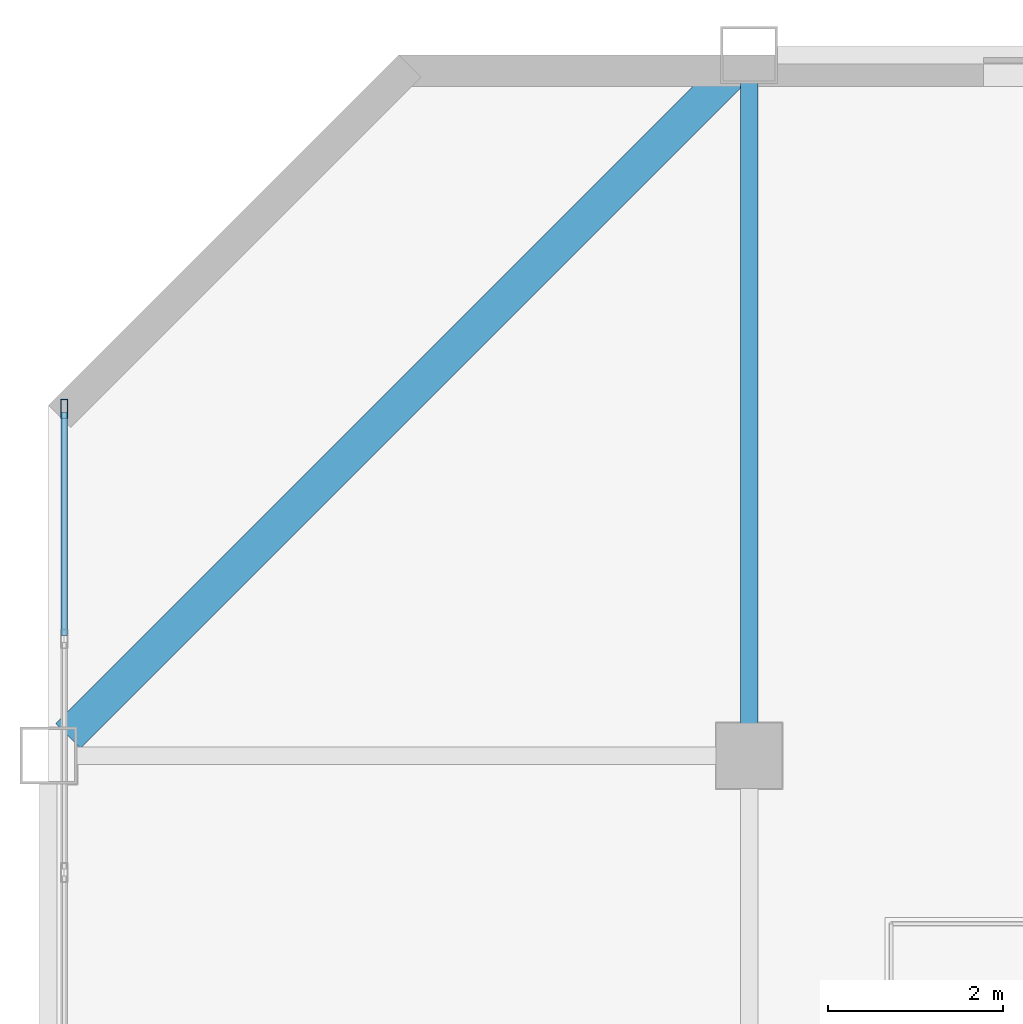
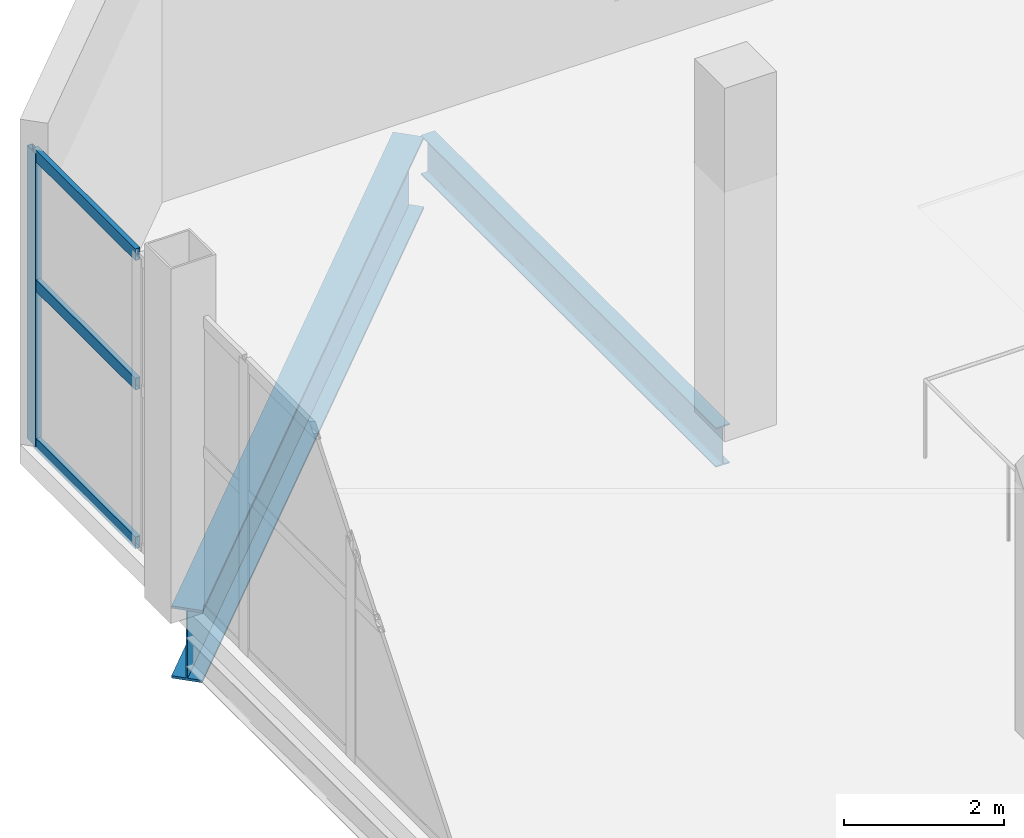
# One storey, part 6 of 16: 4 members, 2 beams, 1 element without a shape of its own.
"""IFC4 building model written with IfcOpenShell, lengths in metres."""

from ifc_helpers import new_model, si_unit, direction, frame, origin, origin_2d, place, context, subcontext, project, spatial, hollow_rectangle, i_section, extrude, material, layer, layer_set, material_profile, profile_set, type_object, element, aggregate, save


model = new_model("IFC4")

# Units and contexts
model_context = context("Model", 3, precision=1e-05, world=origin(), true_north=direction((0.0, 1.0)))
body_context = subcontext(model_context, "Body", "Model", "MODEL_VIEW")
ifc_project = project(units=[si_unit("LENGTHUNIT", "METRE"), si_unit("AREAUNIT", "SQUARE_METRE"), si_unit("VOLUMEUNIT", "CUBIC_METRE"), si_unit("PLANEANGLEUNIT", "RADIAN"), si_unit("MASSUNIT", "GRAM", prefix="KILO")], contexts=[model_context])

# Site, building, storey
site_placement = place(None, origin())
site = spatial("IfcSite", under=ifc_project, at=site_placement, CompositionType="ELEMENT")
building_placement = place(site_placement, origin())
building = spatial("IfcBuilding", under=site, at=building_placement, Name="Qianrong Seaharbour Tower", CompositionType="ELEMENT")
storey_placement = place(building_placement, frame((0.0, 0.0, 378.39990234375)))
storey = spatial("IfcBuildingStorey", under=building, at=storey_placement, Name="L91", CompositionType="ELEMENT", Elevation=378.39990234375)

# Beams
ifc_material_1 = material(Name="Structural steel SN490B", Category="steel")
ifc_material_profile_1 = material_profile(ifc_material_1, i_section(OverallWidth=0.199951171875, OverallDepth=0.60009765625, WebThickness=0.010986328125, FlangeThickness=0.01708984375, FilletRadius=0.02197265625, at=origin_2d()), Name="H600x200x11x17")
ifc_profile_set_1 = profile_set([ifc_material_profile_1], Name="Structural steel SN490B")
beam_type_1 = type_object("IfcBeamType", Name="BM-G-600", PredefinedType="BEAM", material=ifc_profile_set_1)
beam_1_placement = place(storey_placement, frame((24.5, 44.320068359375, -0.58984375), z_axis=(0.0, 1.0, 0.0), x_axis=(-1.0, 0.0, 0.0)))
element("IfcBeam", 1, at=beam_1_placement, inside=storey, type_object=beam_type_1, Name="L91 Primary Girder G4 GG-GH", PredefinedType="BEAM", context=body_context, shape_type="SweptSolid", body=[
    extrude(i_section(OverallWidth=0.199951171875, OverallDepth=0.60009765625, WebThickness=0.010986328125, FlangeThickness=0.01708984375, FilletRadius=0.02197265625, at=origin_2d()), origin(), (0.0, 0.0, 1.0), 7.35986328125),
])
ifc_material_profile_2 = material_profile(ifc_material_1, i_section(OverallWidth=0.39990234375, OverallDepth=1.10009765625, WebThickness=0.02001953125, FlangeThickness=0.035888671875, at=origin_2d()), Name="BH1100x400x20x36")
ifc_profile_set_2 = profile_set([ifc_material_profile_2], Name="Structural steel SN490B")
beam_type_2 = type_object("IfcBeamType", Name="BM-TG-1100", PredefinedType="BEAM", material=ifc_profile_set_2)
beam_2_placement = place(storey_placement, frame((24.273681640625, 51.773681640625, -0.83984375), z_axis=(-0.707106781187, -0.707106781187, 0.0), x_axis=(0.707106781187, -0.707106781187, 0.0)))
element("IfcBeam", 2, at=beam_2_placement, inside=storey, type_object=beam_type_2, Name="L91 Chamfer Corner Spandrel Girder G3/GH", PredefinedType="BEAM", context=body_context, shape_type="SweptSolid", body=[
    extrude(i_section(OverallWidth=0.39990234375, OverallDepth=1.10009765625, WebThickness=0.02001953125, FlangeThickness=0.035888671875, at=origin_2d()), origin(), (0.0, 0.0, 1.0), 10.673583984375),
])

# Curtain wall, members
ifc_material_2 = material(Name="Anodised aluminium 6063-T6 and laminated low-e glass", Category="aluminium")
ifc_layer = layer(ifc_material_2, 0.239990234375)
ifc_layer_set = layer_set([ifc_layer], Name="Anodised aluminium 6063-T6 and laminated low-e glass")
curtain_wall_type = type_object("IfcCurtainWallType", Name="CW-SYS-6", PredefinedType="NOTDEFINED", material=ifc_layer_set)
curtain_wall_placement = place(storey_placement, origin())
curtain_wall = element("IfcCurtainWall", 3, at=curtain_wall_placement, inside=storey, type_object=curtain_wall_type, Name="L91 TMD Exhibition Lantern Translucent Curtain Wall WEST_TIP", PredefinedType="NOTDEFINED")
ifc_material_3 = material(Name="Extruded aluminium 6063-T6", Category="aluminium")
ifc_material_profile_3 = material_profile(ifc_material_3, hollow_rectangle(XDim=0.080078125, YDim=0.219970703125, WallThickness=0.0048828125, at=origin_2d()), Name="ALU-MUL-220x80x5")
ifc_profile_set_3 = profile_set([ifc_material_profile_3], Name="Extruded aluminium 6063-T6")
member_type_1 = type_object("IfcMemberType", Name="CW-MUL-220", PredefinedType="MULLION", material=ifc_profile_set_3)
member_1_placement = place(storey_placement, frame((16.679931640625, 47.9599609375, 0.0), z_axis=(0.0, 0.0, 1.0), x_axis=(-1.0, 0.0, 0.0)))
member_1 = element("IfcMember", 4, at=member_1_placement, type_object=member_type_1, Name="CW-6 mullion 7", PredefinedType="MULLION", context=body_context, shape_type="SweptSolid", body=[
    extrude(hollow_rectangle(XDim=0.080078125, YDim=0.219970703125, WallThickness=0.0048828125, at=origin_2d()), origin(), (0.0, 0.0, 1.0), 4.460205078125),
])
ifc_material_profile_4 = material_profile(ifc_material_3, hollow_rectangle(XDim=0.070068359375, YDim=0.179931640625, WallThickness=0.00390625, at=origin_2d()), Name="ALU-TRN-180x70x4")
ifc_profile_set_4 = profile_set([ifc_material_profile_4], Name="Extruded aluminium 6063-T6")
member_type_2 = type_object("IfcMemberType", Name="CW-TRN-180", PredefinedType="USERDEFINED", material=ifc_profile_set_4)
member_2_placement = place(storey_placement, frame((16.679931640625, 45.373291015625, 0.03515625), z_axis=(0.0, 1.0, 0.0), x_axis=(-1.0, 0.0, 0.0)))
member_2 = element("IfcMember", 5, at=member_2_placement, type_object=member_type_2, Name="CW-6 transom 6.1", ObjectType="TRANSOM", PredefinedType="USERDEFINED", context=body_context, shape_type="SweptSolid", body=[
    extrude(hollow_rectangle(XDim=0.070068359375, YDim=0.179931640625, WallThickness=0.00390625, at=origin_2d()), origin(), (0.0, 0.0, 1.0), 2.546630859375),
])
member_3_placement = place(storey_placement, frame((16.679931640625, 45.373291015625, 2.453125), z_axis=(0.0, 1.0, 0.0), x_axis=(-1.0, 0.0, 0.0)))
member_3 = element("IfcMember", 6, at=member_3_placement, type_object=member_type_2, Name="CW-6 transom 6.2", ObjectType="TRANSOM", PredefinedType="USERDEFINED", context=body_context, shape_type="SweptSolid", body=[
    extrude(hollow_rectangle(XDim=0.070068359375, YDim=0.179931640625, WallThickness=0.00390625, at=origin_2d()), origin(), (0.0, 0.0, 1.0), 2.546630859375),
])
member_4_placement = place(storey_placement, frame((16.679931640625, 45.373291015625, 4.425048828125), z_axis=(0.0, 1.0, 0.0), x_axis=(-1.0, 0.0, 0.0)))
member_4 = element("IfcMember", 7, at=member_4_placement, type_object=member_type_2, Name="CW-6 transom 6.3", ObjectType="TRANSOM", PredefinedType="USERDEFINED", context=body_context, shape_type="SweptSolid", body=[
    extrude(hollow_rectangle(XDim=0.070068359375, YDim=0.179931640625, WallThickness=0.00390625, at=origin_2d()), origin(), (0.0, 0.0, 1.0), 2.546630859375),
])
aggregate(curtain_wall, [member_1, member_2, member_3, member_4])

save(model, "model.ifc")
